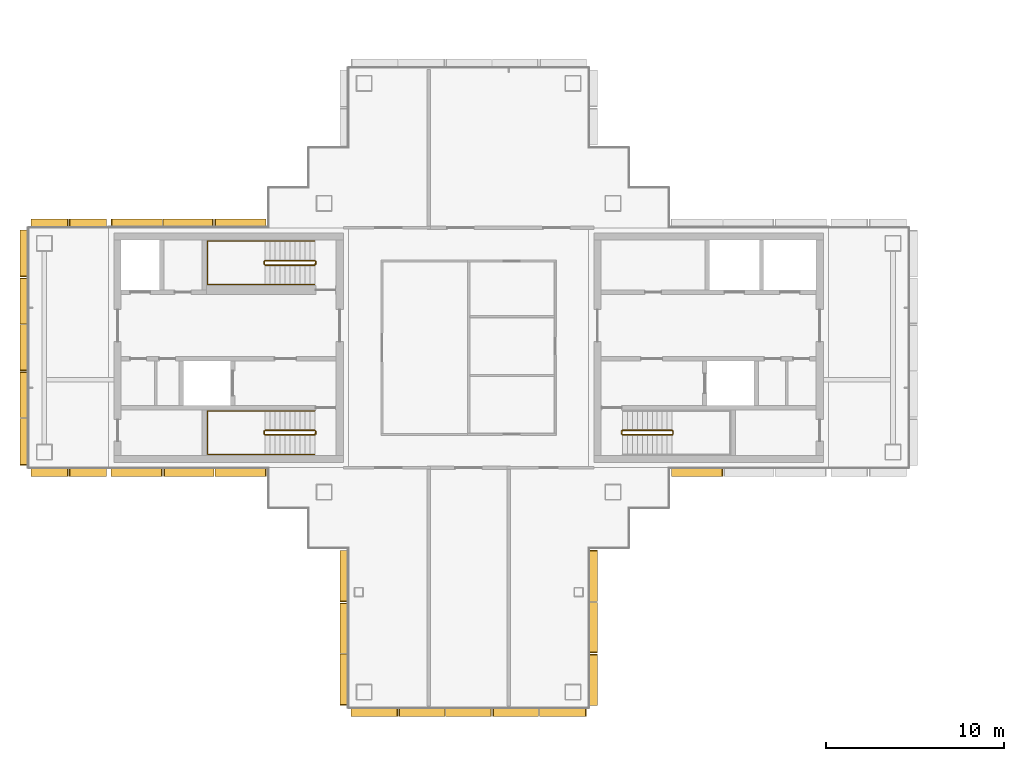
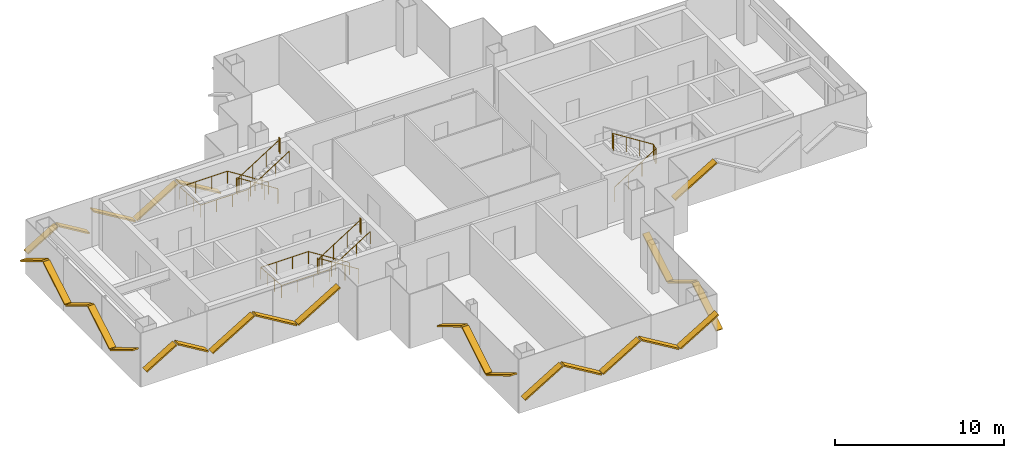
# One storey, part 14 of 17: 27 shading devices, 5 railings.
"""IFC4 building model written with IfcOpenShell, lengths in metres."""

from ifc_helpers import new_model, si_unit, direction, frame, origin, origin_2d, place, context, subcontext, project, spatial, rectangle, circle, extrude, material, material_profile, profile_set, type_object, element, save


model = new_model("IFC4")

# Units and contexts
model_context = context("Model", 3, precision=1e-05, world=origin(), true_north=direction((0.0, 1.0)))
body_context = subcontext(model_context, "Body", "Model", "MODEL_VIEW")
ifc_project = project(units=[si_unit("LENGTHUNIT", "METRE"), si_unit("AREAUNIT", "SQUARE_METRE"), si_unit("VOLUMEUNIT", "CUBIC_METRE"), si_unit("PLANEANGLEUNIT", "RADIAN"), si_unit("MASSUNIT", "GRAM", prefix="KILO")], contexts=[model_context])

# Site, building, storey
site_placement = place(None, origin())
site = spatial("IfcSite", under=ifc_project, at=site_placement, CompositionType="ELEMENT")
building_placement = place(site_placement, origin())
building = spatial("IfcBuilding", under=site, at=building_placement, Name="Shamsa Quay Exchange Towers", CompositionType="ELEMENT")
storey_placement = place(building_placement, frame((0.0, 0.0, 257.699951171875)))
storey = spatial("IfcBuildingStorey", under=building, at=storey_placement, Name="L62", CompositionType="ELEMENT", Elevation=257.699951171875)

# Shading devices
ifc_material_1 = material(Name="Aluminium EN AW-6063 T6, black anodised", Category="aluminium")
ifc_material_profile = material_profile(ifc_material_1, rectangle(XDim=0.449951171875, YDim=0.10009765625, at=origin_2d()), Name="FIN450x100")
ifc_profile_set = profile_set([ifc_material_profile], Name="Aluminium EN AW-6063 T6, black anodised")
shading_device_type = type_object("IfcShadingDeviceType", Name="FIN 450x100 BLACK ALUMINIUM", PredefinedType="USERDEFINED", material=ifc_profile_set)
shading_device_1_placement = place(storey_placement, frame((-40.764892578125, -11.43798828125, 0.74755859375), z_axis=(0.0, -0.857173881605, 0.51502712229), x_axis=(1.0, 0.0, 0.0)))
element("IfcShadingDevice", 1, at=shading_device_1_placement, inside=storey, type_object=shading_device_type, Name="FIN T1 chevron rib", ObjectType="FIN", PredefinedType="USERDEFINED", context=body_context, shape_type="SweptSolid", body=[
    extrude(rectangle(XDim=0.449951171875, YDim=0.10009765625, at=origin_2d()), origin(), (0.0, 0.0, 1.0), 3.310302734375),
])
shading_device_2_placement = place(storey_placement, frame((-40.764892578125, -14.375244140625, 2.4375), z_axis=(0.0, -0.857168152113, -0.515036657922), x_axis=(1.0, 0.0, 0.0)))
element("IfcShadingDevice", 2, at=shading_device_2_placement, inside=storey, type_object=shading_device_type, Name="FIN T1 chevron rib", ObjectType="FIN", PredefinedType="USERDEFINED", context=body_context, shape_type="SweptSolid", body=[
    extrude(rectangle(XDim=0.449951171875, YDim=0.10009765625, at=origin_2d()), origin(), (0.0, 0.0, 1.0), 3.251708984375),
])
shading_device_3_placement = place(storey_placement, frame((-40.764892578125, -17.2626953125, 0.74755859375), z_axis=(0.0, -0.857173881605, 0.51502712229), x_axis=(1.0, 0.0, 0.0)))
element("IfcShadingDevice", 3, at=shading_device_3_placement, inside=storey, type_object=shading_device_type, Name="FIN T1 chevron rib", ObjectType="FIN", PredefinedType="USERDEFINED", context=body_context, shape_type="SweptSolid", body=[
    extrude(rectangle(XDim=0.449951171875, YDim=0.10009765625, at=origin_2d()), origin(), (0.0, 0.0, 1.0), 3.310302734375),
])
shading_device_4_placement = place(storey_placement, frame((-40.35009765625, -20.514892578125, 0.822021484375), z_axis=(0.857186216295, 0.0, 0.515006592767), x_axis=(0.0, 1.0, 0.0)))
element("IfcShadingDevice", 4, at=shading_device_4_placement, inside=storey, type_object=shading_device_type, Name="FIN T1 chevron rib", ObjectType="FIN", PredefinedType="USERDEFINED", context=body_context, shape_type="SweptSolid", body=[
    extrude(rectangle(XDim=0.449951171875, YDim=0.10009765625, at=origin_2d()), origin(), (0.0, 0.0, 1.0), 3.021728515625),
])
for number, where, z_axis, x_axis, name in (
    (5, (-37.659912109375, -20.514892578125, 2.363037109375), (0.857158316574, 0.0, -0.515053026714), (0.0, 1.0, 0.0), "FIN T1 chevron rib"),
    (6, (-35.02001953125, -20.514892578125, 0.8369140625), (0.857180172053, 0.0, 0.515016652778), (0.0, 1.0, 0.0), "FIN T1 chevron rib"),
    (7, (-32.3798828125, -20.514892578125, 2.363037109375), (0.857158316574, 0.0, -0.515053026714), (0.0, 1.0, 0.0), "FIN T1 chevron rib"),
):
    element("IfcShadingDevice", number, at=place(storey_placement, frame(where, z_axis=z_axis, x_axis=x_axis)), inside=storey, type_object=shading_device_type, Name=name, ObjectType="FIN", PredefinedType="USERDEFINED", context=body_context, shape_type="SweptSolid", body=[
        extrude(rectangle(XDim=0.449951171875, YDim=0.10009765625, at=origin_2d()), origin(), (0.0, 0.0, 1.0), 2.963134765625),
    ])
shading_device_5_placement = place(storey_placement, frame((-29.739990234375, -20.514892578125, 0.822021484375), z_axis=(0.857186216295, 0.0, 0.515006592767), x_axis=(0.0, 1.0, 0.0)))
element("IfcShadingDevice", 8, at=shading_device_5_placement, inside=storey, type_object=shading_device_type, Name="FIN T1 chevron rib", ObjectType="FIN", PredefinedType="USERDEFINED", context=body_context, shape_type="SweptSolid", body=[
    extrude(rectangle(XDim=0.449951171875, YDim=0.10009765625, at=origin_2d()), origin(), (0.0, 0.0, 1.0), 3.021728515625),
])
shading_device_6_placement = place(storey_placement, frame((-26.735107421875, -20.10009765625, 0.743896484375), z_axis=(0.0, 0.857181785947, 0.515013966646), x_axis=(-1.0, 0.0, 0.0)))
element("IfcShadingDevice", 9, at=shading_device_6_placement, inside=storey, type_object=shading_device_type, Name="FIN T1 chevron rib", ObjectType="FIN", PredefinedType="USERDEFINED", context=body_context, shape_type="SweptSolid", body=[
    extrude(rectangle(XDim=0.449951171875, YDim=0.10009765625, at=origin_2d()), origin(), (0.0, 0.0, 1.0), 3.324951171875),
])
shading_device_7_placement = place(storey_placement, frame((-26.735107421875, -17.14990234375, 2.441162109375), z_axis=(0.0, 0.857156397537, -0.515056220389), x_axis=(-1.0, 0.0, 0.0)))
element("IfcShadingDevice", 10, at=shading_device_7_placement, inside=storey, type_object=shading_device_type, Name="FIN T1 chevron rib", ObjectType="FIN", PredefinedType="USERDEFINED", context=body_context, shape_type="SweptSolid", body=[
    extrude(rectangle(XDim=0.449951171875, YDim=0.10009765625, at=origin_2d()), origin(), (0.0, 0.0, 1.0), 3.266357421875),
])
shading_device_8_placement = place(storey_placement, frame((-26.735107421875, -14.25, 0.743896484375), z_axis=(0.0, 0.857181785947, 0.515013966646), x_axis=(-1.0, 0.0, 0.0)))
element("IfcShadingDevice", 11, at=shading_device_8_placement, inside=storey, type_object=shading_device_type, Name="FIN T1 chevron rib", ObjectType="FIN", PredefinedType="USERDEFINED", context=body_context, shape_type="SweptSolid", body=[
    extrude(rectangle(XDim=0.449951171875, YDim=0.10009765625, at=origin_2d()), origin(), (0.0, 0.0, 1.0), 3.324951171875),
])
for number, where, z_axis, x_axis, name in (
    (12, (-22.31201171875, -7.01904296875, 0.74755859375), (0.857173881605, 0.0, 0.51502712229), (0.0, 1.0, 0.0), "FIN T1 chevron rib"),
    (13, (-45.18798828125, 7.01904296875, 0.74755859375), (-0.857173881605, 0.0, 0.51502712229), (0.0, -1.0, 0.0), "FIN T1 chevron rib"),
):
    element("IfcShadingDevice", number, at=place(storey_placement, frame(where, z_axis=z_axis, x_axis=x_axis)), inside=storey, type_object=shading_device_type, Name=name, ObjectType="FIN", PredefinedType="USERDEFINED", context=body_context, shape_type="SweptSolid", body=[
        extrude(rectangle(XDim=0.449951171875, YDim=0.10009765625, at=origin_2d()), origin(), (0.0, 0.0, 1.0), 3.310302734375),
    ])
shading_device_9_placement = place(storey_placement, frame((-48.125244140625, 7.01904296875, 2.4375), z_axis=(-0.857168152113, 0.0, -0.515036657922), x_axis=(0.0, -1.0, 0.0)))
element("IfcShadingDevice", 14, at=shading_device_9_placement, inside=storey, type_object=shading_device_type, Name="FIN T1 chevron rib", ObjectType="FIN", PredefinedType="USERDEFINED", context=body_context, shape_type="SweptSolid", body=[
    extrude(rectangle(XDim=0.449951171875, YDim=0.10009765625, at=origin_2d()), origin(), (0.0, 0.0, 1.0), 3.251708984375),
])
shading_device_10_placement = place(storey_placement, frame((-51.0126953125, 7.01904296875, 0.74755859375), z_axis=(-0.857173881605, 0.0, 0.51502712229), x_axis=(0.0, -1.0, 0.0)))
element("IfcShadingDevice", 15, at=shading_device_10_placement, inside=storey, type_object=shading_device_type, Name="FIN T1 chevron rib", ObjectType="FIN", PredefinedType="USERDEFINED", context=body_context, shape_type="SweptSolid", body=[
    extrude(rectangle(XDim=0.449951171875, YDim=0.10009765625, at=origin_2d()), origin(), (0.0, 0.0, 1.0), 3.310302734375),
])
for number, where, z_axis, x_axis, name in (
    (16, (-54.14990234375, 7.014892578125, 0.984130859375), (-0.857186526385, 0.0, 0.515006076648), (0.0, -1.0, 0.0), "FIN T1 chevron rib"),
    (17, (-56.300048828125, 7.014892578125, 2.2158203125), (-0.857186526385, 0.0, -0.515006076648), (0.0, -1.0, 0.0), "FIN T1 chevron rib"),
):
    element("IfcShadingDevice", number, at=place(storey_placement, frame(where, z_axis=z_axis, x_axis=x_axis)), inside=storey, type_object=shading_device_type, Name=name, ObjectType="FIN", PredefinedType="USERDEFINED", context=body_context, shape_type="SweptSolid", body=[
        extrude(rectangle(XDim=0.449951171875, YDim=0.10009765625, at=origin_2d()), origin(), (0.0, 0.0, 1.0), 2.3916015625),
    ])
shading_device_11_placement = place(storey_placement, frame((-58.764892578125, 6.60009765625, 0.822021484375), z_axis=(0.0, -0.857186216295, 0.515006592767), x_axis=(1.0, 0.0, 0.0)))
element("IfcShadingDevice", 18, at=shading_device_11_placement, inside=storey, type_object=shading_device_type, Name="FIN T1 chevron rib", ObjectType="FIN", PredefinedType="USERDEFINED", context=body_context, shape_type="SweptSolid", body=[
    extrude(rectangle(XDim=0.449951171875, YDim=0.10009765625, at=origin_2d()), origin(), (0.0, 0.0, 1.0), 3.021728515625),
])
for number, where, z_axis, x_axis, name in (
    (19, (-58.764892578125, 3.909912109375, 2.363037109375), (0.0, -0.857158316574, -0.515053026714), (1.0, 0.0, 0.0), "FIN T1 chevron rib"),
    (20, (-58.764892578125, 1.27001953125, 0.8369140625), (0.0, -0.857180172053, 0.515016652778), (1.0, 0.0, 0.0), "FIN T1 chevron rib"),
    (21, (-58.764892578125, -1.3701171875, 2.363037109375), (0.0, -0.857158316574, -0.515053026714), (1.0, 0.0, 0.0), "FIN T1 chevron rib"),
):
    element("IfcShadingDevice", number, at=place(storey_placement, frame(where, z_axis=z_axis, x_axis=x_axis)), inside=storey, type_object=shading_device_type, Name=name, ObjectType="FIN", PredefinedType="USERDEFINED", context=body_context, shape_type="SweptSolid", body=[
        extrude(rectangle(XDim=0.449951171875, YDim=0.10009765625, at=origin_2d()), origin(), (0.0, 0.0, 1.0), 2.963134765625),
    ])
shading_device_12_placement = place(storey_placement, frame((-58.764892578125, -4.010009765625, 0.822021484375), z_axis=(0.0, -0.857186216295, 0.515006592767), x_axis=(1.0, 0.0, 0.0)))
element("IfcShadingDevice", 22, at=shading_device_12_placement, inside=storey, type_object=shading_device_type, Name="FIN T1 chevron rib", ObjectType="FIN", PredefinedType="USERDEFINED", context=body_context, shape_type="SweptSolid", body=[
    extrude(rectangle(XDim=0.449951171875, YDim=0.10009765625, at=origin_2d()), origin(), (0.0, 0.0, 1.0), 3.021728515625),
])
for number, where, z_axis, x_axis, name in (
    (23, (-58.35009765625, -7.014892578125, 0.984130859375), (0.857186526385, 0.0, 0.515006076648), (0.0, 1.0, 0.0), "FIN T1 chevron rib"),
    (24, (-56.199951171875, -7.014892578125, 2.2158203125), (0.857186526385, 0.0, -0.515006076648), (0.0, 1.0, 0.0), "FIN T1 chevron rib"),
):
    element("IfcShadingDevice", number, at=place(storey_placement, frame(where, z_axis=z_axis, x_axis=x_axis)), inside=storey, type_object=shading_device_type, Name=name, ObjectType="FIN", PredefinedType="USERDEFINED", context=body_context, shape_type="SweptSolid", body=[
        extrude(rectangle(XDim=0.449951171875, YDim=0.10009765625, at=origin_2d()), origin(), (0.0, 0.0, 1.0), 2.3916015625),
    ])
shading_device_13_placement = place(storey_placement, frame((-53.85009765625, -7.01904296875, 0.743896484375), z_axis=(0.857181785947, 0.0, 0.515013966646), x_axis=(0.0, 1.0, 0.0)))
element("IfcShadingDevice", 25, at=shading_device_13_placement, inside=storey, type_object=shading_device_type, Name="FIN T1 chevron rib", ObjectType="FIN", PredefinedType="USERDEFINED", context=body_context, shape_type="SweptSolid", body=[
    extrude(rectangle(XDim=0.449951171875, YDim=0.10009765625, at=origin_2d()), origin(), (0.0, 0.0, 1.0), 3.324951171875),
])
shading_device_14_placement = place(storey_placement, frame((-50.89990234375, -7.01904296875, 2.441162109375), z_axis=(0.857156397537, 0.0, -0.515056220389), x_axis=(0.0, 1.0, 0.0)))
element("IfcShadingDevice", 26, at=shading_device_14_placement, inside=storey, type_object=shading_device_type, Name="FIN T1 chevron rib", ObjectType="FIN", PredefinedType="USERDEFINED", context=body_context, shape_type="SweptSolid", body=[
    extrude(rectangle(XDim=0.449951171875, YDim=0.10009765625, at=origin_2d()), origin(), (0.0, 0.0, 1.0), 3.266357421875),
])
shading_device_15_placement = place(storey_placement, frame((-48.0, -7.01904296875, 0.743896484375), z_axis=(0.857181785947, 0.0, 0.515013966646), x_axis=(0.0, 1.0, 0.0)))
element("IfcShadingDevice", 27, at=shading_device_15_placement, inside=storey, type_object=shading_device_type, Name="FIN T1 chevron rib", ObjectType="FIN", PredefinedType="USERDEFINED", context=body_context, shape_type="SweptSolid", body=[
    extrude(rectangle(XDim=0.449951171875, YDim=0.10009765625, at=origin_2d()), origin(), (0.0, 0.0, 1.0), 3.324951171875),
])

# Railings
ifc_material_2 = material(Name="Stainless steel", Category="steel")
railing_type_1 = type_object("IfcRailingType", Name="STAIR GUARD 1100", PredefinedType="GUARDRAIL", material=ifc_material_2)
railing_1_placement = place(storey_placement, frame((-25.10009765625, -4.89990234375, 0.17724609375)))
element("IfcRailing", 28, at=railing_1_placement, inside=storey, type_object=railing_type_1, Name="L62 ST1 stair guard 1", PredefinedType="GUARDRAIL", context=body_context, shape_type="SweptSolid", body=[
    extrude(circle(Radius=0.02392578125, at=origin_2d()), frame((0.0, 0.0, 1.076171875), z_axis=(0.844908973607, 0.0, 0.534910110503), x_axis=(0.0, 1.0, 0.0)), (0.0, 0.0, 1.0), 3.31396484375),
    extrude(circle(Radius=0.02392578125, at=origin_2d()), frame((2.800048828125, 0.0, 2.8486328125), z_axis=(0.708833529934, 0.705375805398, 0.0), x_axis=(-0.705375805398, 0.708833529934, 0.0)), (0.0, 0.0, 1.0), 0.070556640625),
    extrude(circle(Radius=0.02392578125, at=origin_2d()), frame((2.85009765625, 0.0498046875, 2.8486328125), z_axis=(0.0, 1.0, 0.0), x_axis=(-1.0, 0.0, 0.0)), (0.0, 0.0, 1.0), 0.150146484375),
    extrude(circle(Radius=0.02392578125, at=origin_2d()), frame((2.85009765625, 0.199951171875, 2.8486328125), z_axis=(-0.261922500866, 0.261922500866, 0.928866625022), x_axis=(-0.707106781187, -0.707106781187, 0.0)), (0.0, 0.0, 1.0), 0.191162109375),
    extrude(circle(Radius=0.02392578125, at=origin_2d()), frame((2.800048828125, 0.25, 3.0263671875), z_axis=(-0.844908973607, 0.0, 0.534910110503), x_axis=(0.0, -1.0, 0.0)), (0.0, 0.0, 1.0), 3.31396484375),
    extrude(circle(Radius=0.02392578125, at=origin_2d()), frame((0.0, 0.25, 4.798828125), z_axis=(-0.24142163986, -0.970420317083, 0.0), x_axis=(0.970420317083, -0.24142163986, 0.0)), (0.0, 0.0, 1.0), 0.206298828125),
    extrude(circle(Radius=0.02392578125, at=origin_2d()), frame((-0.0498046875, 0.0498046875, 4.798828125), z_axis=(0.0, 1.0, 0.0), x_axis=(-1.0, 0.0, 0.0)), (0.0, 0.0, 1.0), 0.150146484375),
    extrude(circle(Radius=0.02099609375, at=origin_2d()), origin(), (0.0, 0.0, 1.0), 1.052001953125),
    extrude(circle(Radius=0.02099609375, at=origin_2d()), frame((0.933349609375, 0.0, 0.5908203125)), (0.0, 0.0, 1.0), 1.052001953125),
    extrude(circle(Radius=0.02099609375, at=origin_2d()), frame((1.86669921875, 0.0, 1.181884765625)), (0.0, 0.0, 1.0), 1.052001953125),
    extrude(circle(Radius=0.02099609375, at=origin_2d()), frame((2.800048828125, 0.0, 1.772705078125)), (0.0, 0.0, 1.0), 1.052001953125),
    extrude(circle(Radius=0.02099609375, at=origin_2d()), frame((2.85009765625, 0.0498046875, 1.772705078125)), (0.0, 0.0, 1.0), 1.052001953125),
    extrude(circle(Radius=0.02099609375, at=origin_2d()), frame((2.85009765625, 0.199951171875, 1.772705078125)), (0.0, 0.0, 1.0), 1.052001953125),
    extrude(circle(Radius=0.02099609375, at=origin_2d()), frame((2.800048828125, 0.25, 1.9501953125)), (0.0, 0.0, 1.0), 1.052001953125),
    extrude(circle(Radius=0.02099609375, at=origin_2d()), frame((1.86669921875, 0.25, 2.541015625)), (0.0, 0.0, 1.0), 1.052001953125),
    extrude(circle(Radius=0.02099609375, at=origin_2d()), frame((0.933349609375, 0.25, 3.132080078125)), (0.0, 0.0, 1.0), 1.052001953125),
    extrude(circle(Radius=0.02099609375, at=origin_2d()), frame((0.0, 0.25, 3.722900390625)), (0.0, 0.0, 1.0), 1.052001953125),
    extrude(circle(Radius=0.02099609375, at=origin_2d()), frame((-0.0498046875, 0.0498046875, 3.722900390625)), (0.0, 0.0, 1.0), 1.052001953125),
    extrude(circle(Radius=0.02099609375, at=origin_2d()), frame((-0.0498046875, 0.199951171875, 3.722900390625)), (0.0, 0.0, 1.0), 1.052001953125),
])
railing_2_placement = place(storey_placement, frame((-42.39990234375, -4.64990234375, 0.17724609375)))
element("IfcRailing", 29, at=railing_2_placement, inside=storey, type_object=railing_type_1, Name="L62 ST2 stair guard 1", PredefinedType="GUARDRAIL", context=body_context, shape_type="SweptSolid", body=[
    extrude(circle(Radius=0.02392578125, at=origin_2d()), frame((0.0, 0.0, 1.076171875), z_axis=(-0.844908973607, 0.0, 0.534910110503), x_axis=(0.0, -1.0, 0.0)), (0.0, 0.0, 1.0), 3.31396484375),
    extrude(circle(Radius=0.02392578125, at=origin_2d()), frame((-2.800048828125, 0.0, 2.8486328125), z_axis=(-0.707106781187, -0.707106781187, 0.0), x_axis=(0.707106781187, -0.707106781187, 0.0)), (0.0, 0.0, 1.0), 0.07080078125),
    extrude(circle(Radius=0.02392578125, at=origin_2d()), frame((-2.85009765625, -0.050048828125, 2.8486328125), z_axis=(0.0, -1.0, 0.0), x_axis=(1.0, 0.0, 0.0)), (0.0, 0.0, 1.0), 0.150146484375),
    extrude(circle(Radius=0.02392578125, at=origin_2d()), frame((-2.85009765625, -0.2001953125, 2.8486328125), z_axis=(0.262009983441, -0.260731885961, 0.929176868105), x_axis=(0.705375805398, 0.708833529934, 0.0)), (0.0, 0.0, 1.0), 0.19091796875),
    extrude(circle(Radius=0.02392578125, at=origin_2d()), frame((-2.800048828125, -0.25, 3.0263671875), z_axis=(0.844908973607, 0.0, 0.534910110503), x_axis=(0.0, 1.0, 0.0)), (0.0, 0.0, 1.0), 3.31396484375),
    extrude(circle(Radius=0.02392578125, at=origin_2d()), frame((0.0, -0.25, 4.798828125), z_axis=(0.241699205484, 0.970351222016, 0.0), x_axis=(-0.970351222016, 0.241699205484, 0.0)), (0.0, 0.0, 1.0), 0.2060546875),
    extrude(circle(Radius=0.02392578125, at=origin_2d()), frame((0.0498046875, -0.050048828125, 4.798828125), z_axis=(0.0, -1.0, 0.0), x_axis=(1.0, 0.0, 0.0)), (0.0, 0.0, 1.0), 0.150146484375),
    extrude(circle(Radius=0.02099609375, at=origin_2d()), origin(), (0.0, 0.0, 1.0), 1.052001953125),
    extrude(circle(Radius=0.02099609375, at=origin_2d()), frame((-0.933349609375, 0.0, 0.5908203125)), (0.0, 0.0, 1.0), 1.052001953125),
    extrude(circle(Radius=0.02099609375, at=origin_2d()), frame((-1.86669921875, 0.0, 1.181884765625)), (0.0, 0.0, 1.0), 1.052001953125),
    extrude(circle(Radius=0.02099609375, at=origin_2d()), frame((-2.800048828125, 0.0, 1.772705078125)), (0.0, 0.0, 1.0), 1.052001953125),
    extrude(circle(Radius=0.02099609375, at=origin_2d()), frame((-2.85009765625, -0.050048828125, 1.772705078125)), (0.0, 0.0, 1.0), 1.052001953125),
    extrude(circle(Radius=0.02099609375, at=origin_2d()), frame((-2.85009765625, -0.2001953125, 1.772705078125)), (0.0, 0.0, 1.0), 1.052001953125),
    extrude(circle(Radius=0.02099609375, at=origin_2d()), frame((-2.800048828125, -0.25, 1.9501953125)), (0.0, 0.0, 1.0), 1.052001953125),
    extrude(circle(Radius=0.02099609375, at=origin_2d()), frame((-1.86669921875, -0.25, 2.541015625)), (0.0, 0.0, 1.0), 1.052001953125),
    extrude(circle(Radius=0.02099609375, at=origin_2d()), frame((-0.933349609375, -0.25, 3.132080078125)), (0.0, 0.0, 1.0), 1.052001953125),
    extrude(circle(Radius=0.02099609375, at=origin_2d()), frame((0.0, -0.25, 3.722900390625)), (0.0, 0.0, 1.0), 1.052001953125),
    extrude(circle(Radius=0.02099609375, at=origin_2d()), frame((0.0498046875, -0.050048828125, 3.722900390625)), (0.0, 0.0, 1.0), 1.052001953125),
    extrude(circle(Radius=0.02099609375, at=origin_2d()), frame((0.0498046875, -0.2001953125, 3.722900390625)), (0.0, 0.0, 1.0), 1.052001953125),
])
railing_3_placement = place(storey_placement, frame((-42.39990234375, 4.89990234375, 0.17724609375)))
element("IfcRailing", 30, at=railing_3_placement, inside=storey, type_object=railing_type_1, Name="L62 ST3 stair guard 1", PredefinedType="GUARDRAIL", context=body_context, shape_type="SweptSolid", body=[
    extrude(circle(Radius=0.02392578125, at=origin_2d()), frame((0.0, 0.0, 1.076171875), z_axis=(-0.844908973607, 0.0, 0.534910110503), x_axis=(0.0, -1.0, 0.0)), (0.0, 0.0, 1.0), 3.31396484375),
    extrude(circle(Radius=0.02392578125, at=origin_2d()), frame((-2.800048828125, 0.0, 2.8486328125), z_axis=(-0.708833529934, -0.705375805398, 0.0), x_axis=(0.705375805398, -0.708833529934, 0.0)), (0.0, 0.0, 1.0), 0.070556640625),
    extrude(circle(Radius=0.02392578125, at=origin_2d()), frame((-2.85009765625, -0.0498046875, 2.8486328125), z_axis=(0.0, -1.0, 0.0), x_axis=(1.0, 0.0, 0.0)), (0.0, 0.0, 1.0), 0.150146484375),
    extrude(circle(Radius=0.02392578125, at=origin_2d()), frame((-2.85009765625, -0.199951171875, 2.8486328125), z_axis=(0.261922500866, -0.261922500866, 0.928866625022), x_axis=(0.707106781187, 0.707106781187, 0.0)), (0.0, 0.0, 1.0), 0.191162109375),
    extrude(circle(Radius=0.02392578125, at=origin_2d()), frame((-2.800048828125, -0.25, 3.0263671875), z_axis=(0.844908973607, 0.0, 0.534910110503), x_axis=(0.0, 1.0, 0.0)), (0.0, 0.0, 1.0), 3.31396484375),
    extrude(circle(Radius=0.02392578125, at=origin_2d()), frame((0.0, -0.25, 4.798828125), z_axis=(0.24142163986, 0.970420317083, 0.0), x_axis=(-0.970420317083, 0.24142163986, 0.0)), (0.0, 0.0, 1.0), 0.206298828125),
    extrude(circle(Radius=0.02392578125, at=origin_2d()), frame((0.0498046875, -0.0498046875, 4.798828125), z_axis=(0.0, -1.0, 0.0), x_axis=(1.0, 0.0, 0.0)), (0.0, 0.0, 1.0), 0.150146484375),
    extrude(circle(Radius=0.02099609375, at=origin_2d()), origin(), (0.0, 0.0, 1.0), 1.052001953125),
    extrude(circle(Radius=0.02099609375, at=origin_2d()), frame((-0.933349609375, 0.0, 0.5908203125)), (0.0, 0.0, 1.0), 1.052001953125),
    extrude(circle(Radius=0.02099609375, at=origin_2d()), frame((-1.86669921875, 0.0, 1.181884765625)), (0.0, 0.0, 1.0), 1.052001953125),
    extrude(circle(Radius=0.02099609375, at=origin_2d()), frame((-2.800048828125, 0.0, 1.772705078125)), (0.0, 0.0, 1.0), 1.052001953125),
    extrude(circle(Radius=0.02099609375, at=origin_2d()), frame((-2.85009765625, -0.0498046875, 1.772705078125)), (0.0, 0.0, 1.0), 1.052001953125),
    extrude(circle(Radius=0.02099609375, at=origin_2d()), frame((-2.85009765625, -0.199951171875, 1.772705078125)), (0.0, 0.0, 1.0), 1.052001953125),
    extrude(circle(Radius=0.02099609375, at=origin_2d()), frame((-2.800048828125, -0.25, 1.9501953125)), (0.0, 0.0, 1.0), 1.052001953125),
    extrude(circle(Radius=0.02099609375, at=origin_2d()), frame((-1.86669921875, -0.25, 2.541015625)), (0.0, 0.0, 1.0), 1.052001953125),
    extrude(circle(Radius=0.02099609375, at=origin_2d()), frame((-0.933349609375, -0.25, 3.132080078125)), (0.0, 0.0, 1.0), 1.052001953125),
    extrude(circle(Radius=0.02099609375, at=origin_2d()), frame((0.0, -0.25, 3.722900390625)), (0.0, 0.0, 1.0), 1.052001953125),
    extrude(circle(Radius=0.02099609375, at=origin_2d()), frame((0.0498046875, -0.0498046875, 3.722900390625)), (0.0, 0.0, 1.0), 1.052001953125),
    extrude(circle(Radius=0.02099609375, at=origin_2d()), frame((0.0498046875, -0.199951171875, 3.722900390625)), (0.0, 0.0, 1.0), 1.052001953125),
])
railing_type_2 = type_object("IfcRailingType", Name="STAIR HANDRAIL 900", PredefinedType="HANDRAIL", material=ifc_material_2)
railing_4_placement = place(storey_placement, frame((-42.39990234375, -3.550048828125, 0.17724609375)))
element("IfcRailing", 31, at=railing_4_placement, inside=storey, type_object=railing_type_2, Name="L62 ST2 stair handrail 1", PredefinedType="HANDRAIL", context=body_context, shape_type="SweptSolid", body=[
    extrude(circle(Radius=0.02392578125, at=origin_2d()), frame((0.0, 0.0, 0.8759765625), z_axis=(-0.844908973607, 0.0, 0.534910110503), x_axis=(0.0, -1.0, 0.0)), (0.0, 0.0, 1.0), 3.31396484375),
    extrude(circle(Radius=0.02392578125, at=origin_2d()), frame((-2.800048828125, 0.0, 2.6484375), z_axis=(-1.0, 0.0, 0.0), x_axis=(0.0, -1.0, 0.0)), (0.0, 0.0, 1.0), 3.25),
    extrude(circle(Radius=0.02392578125, at=origin_2d()), frame((-6.050048828125, 0.0, 2.6484375), z_axis=(0.0, -0.997386041853, 0.072257065513), x_axis=(1.0, 0.0, 0.0)), (0.0, 0.0, 1.0), 2.456298828125),
    extrude(circle(Radius=0.02392578125, at=origin_2d()), frame((-6.050048828125, -2.449951171875, 2.826171875), z_axis=(1.0, 0.0, 0.0), x_axis=(0.0, 1.0, 0.0)), (0.0, 0.0, 1.0), 3.25),
    extrude(circle(Radius=0.02392578125, at=origin_2d()), frame((-2.800048828125, -2.449951171875, 2.826171875), z_axis=(0.844908973607, 0.0, 0.534910110503), x_axis=(0.0, 1.0, 0.0)), (0.0, 0.0, 1.0), 3.31396484375),
    extrude(circle(Radius=0.02099609375, at=origin_2d()), origin(), (0.0, 0.0, 1.0), 0.851806640625),
    extrude(circle(Radius=0.02099609375, at=origin_2d()), frame((-0.933349609375, 0.0, 0.5908203125)), (0.0, 0.0, 1.0), 0.851806640625),
    extrude(circle(Radius=0.02099609375, at=origin_2d()), frame((-1.86669921875, 0.0, 1.181884765625)), (0.0, 0.0, 1.0), 0.851806640625),
    extrude(circle(Radius=0.02099609375, at=origin_2d()), frame((-2.800048828125, 0.0, 1.772705078125)), (0.0, 0.0, 1.0), 0.851806640625),
    extrude(circle(Radius=0.02099609375, at=origin_2d()), frame((-3.88330078125, 0.0, 1.772705078125)), (0.0, 0.0, 1.0), 0.851806640625),
    extrude(circle(Radius=0.02099609375, at=origin_2d()), frame((-4.966796875, 0.0, 1.772705078125)), (0.0, 0.0, 1.0), 0.851806640625),
    extrude(circle(Radius=0.02099609375, at=origin_2d()), frame((-6.050048828125, 0.0, 1.772705078125)), (0.0, 0.0, 1.0), 0.851806640625),
    extrude(circle(Radius=0.02099609375, at=origin_2d()), frame((-6.050048828125, -0.816650390625, 1.831787109375)), (0.0, 0.0, 1.0), 0.851806640625),
    extrude(circle(Radius=0.02099609375, at=origin_2d()), frame((-6.050048828125, -1.63330078125, 1.89111328125)), (0.0, 0.0, 1.0), 0.851806640625),
    extrude(circle(Radius=0.02099609375, at=origin_2d()), frame((-6.050048828125, -2.449951171875, 1.9501953125)), (0.0, 0.0, 1.0), 0.851806640625),
    extrude(circle(Radius=0.02099609375, at=origin_2d()), frame((-4.966796875, -2.449951171875, 1.9501953125)), (0.0, 0.0, 1.0), 0.851806640625),
    extrude(circle(Radius=0.02099609375, at=origin_2d()), frame((-3.88330078125, -2.449951171875, 1.9501953125)), (0.0, 0.0, 1.0), 0.851806640625),
    extrude(circle(Radius=0.02099609375, at=origin_2d()), frame((-2.800048828125, -2.449951171875, 1.9501953125)), (0.0, 0.0, 1.0), 0.851806640625),
    extrude(circle(Radius=0.02099609375, at=origin_2d()), frame((-1.86669921875, -2.449951171875, 2.541015625)), (0.0, 0.0, 1.0), 0.851806640625),
    extrude(circle(Radius=0.02099609375, at=origin_2d()), frame((-0.933349609375, -2.449951171875, 3.132080078125)), (0.0, 0.0, 1.0), 0.851806640625),
    extrude(circle(Radius=0.02099609375, at=origin_2d()), frame((0.0, -2.449951171875, 3.722900390625)), (0.0, 0.0, 1.0), 0.851806640625),
])
railing_5_placement = place(storey_placement, frame((-42.39990234375, 6.0, 0.17724609375)))
element("IfcRailing", 32, at=railing_5_placement, inside=storey, type_object=railing_type_2, Name="L62 ST3 stair handrail 1", PredefinedType="HANDRAIL", context=body_context, shape_type="SweptSolid", body=[
    extrude(circle(Radius=0.02392578125, at=origin_2d()), frame((0.0, 0.0, 0.8759765625), z_axis=(-0.844908973607, 0.0, 0.534910110503), x_axis=(0.0, -1.0, 0.0)), (0.0, 0.0, 1.0), 3.31396484375),
    extrude(circle(Radius=0.02392578125, at=origin_2d()), frame((-2.800048828125, 0.0, 2.6484375), z_axis=(-1.0, 0.0, 0.0), x_axis=(0.0, -1.0, 0.0)), (0.0, 0.0, 1.0), 3.25),
    extrude(circle(Radius=0.02392578125, at=origin_2d()), frame((-6.050048828125, 0.0, 2.6484375), z_axis=(0.0, -0.997386041853, 0.072257065513), x_axis=(1.0, 0.0, 0.0)), (0.0, 0.0, 1.0), 2.456298828125),
    extrude(circle(Radius=0.02392578125, at=origin_2d()), frame((-6.050048828125, -2.449951171875, 2.826171875), z_axis=(1.0, 0.0, 0.0), x_axis=(0.0, 1.0, 0.0)), (0.0, 0.0, 1.0), 3.25),
    extrude(circle(Radius=0.02392578125, at=origin_2d()), frame((-2.800048828125, -2.449951171875, 2.826171875), z_axis=(0.844908973607, 0.0, 0.534910110503), x_axis=(0.0, 1.0, 0.0)), (0.0, 0.0, 1.0), 3.31396484375),
    extrude(circle(Radius=0.02099609375, at=origin_2d()), origin(), (0.0, 0.0, 1.0), 0.851806640625),
    extrude(circle(Radius=0.02099609375, at=origin_2d()), frame((-0.933349609375, 0.0, 0.5908203125)), (0.0, 0.0, 1.0), 0.851806640625),
    extrude(circle(Radius=0.02099609375, at=origin_2d()), frame((-1.86669921875, 0.0, 1.181884765625)), (0.0, 0.0, 1.0), 0.851806640625),
    extrude(circle(Radius=0.02099609375, at=origin_2d()), frame((-2.800048828125, 0.0, 1.772705078125)), (0.0, 0.0, 1.0), 0.851806640625),
    extrude(circle(Radius=0.02099609375, at=origin_2d()), frame((-3.88330078125, 0.0, 1.772705078125)), (0.0, 0.0, 1.0), 0.851806640625),
    extrude(circle(Radius=0.02099609375, at=origin_2d()), frame((-4.966796875, 0.0, 1.772705078125)), (0.0, 0.0, 1.0), 0.851806640625),
    extrude(circle(Radius=0.02099609375, at=origin_2d()), frame((-6.050048828125, 0.0, 1.772705078125)), (0.0, 0.0, 1.0), 0.851806640625),
    extrude(circle(Radius=0.02099609375, at=origin_2d()), frame((-6.050048828125, -0.816650390625, 1.831787109375)), (0.0, 0.0, 1.0), 0.851806640625),
    extrude(circle(Radius=0.02099609375, at=origin_2d()), frame((-6.050048828125, -1.63330078125, 1.89111328125)), (0.0, 0.0, 1.0), 0.851806640625),
    extrude(circle(Radius=0.02099609375, at=origin_2d()), frame((-6.050048828125, -2.449951171875, 1.9501953125)), (0.0, 0.0, 1.0), 0.851806640625),
    extrude(circle(Radius=0.02099609375, at=origin_2d()), frame((-4.966796875, -2.449951171875, 1.9501953125)), (0.0, 0.0, 1.0), 0.851806640625),
    extrude(circle(Radius=0.02099609375, at=origin_2d()), frame((-3.88330078125, -2.449951171875, 1.9501953125)), (0.0, 0.0, 1.0), 0.851806640625),
    extrude(circle(Radius=0.02099609375, at=origin_2d()), frame((-2.800048828125, -2.449951171875, 1.9501953125)), (0.0, 0.0, 1.0), 0.851806640625),
    extrude(circle(Radius=0.02099609375, at=origin_2d()), frame((-1.86669921875, -2.449951171875, 2.541015625)), (0.0, 0.0, 1.0), 0.851806640625),
    extrude(circle(Radius=0.02099609375, at=origin_2d()), frame((-0.933349609375, -2.449951171875, 3.132080078125)), (0.0, 0.0, 1.0), 0.851806640625),
    extrude(circle(Radius=0.02099609375, at=origin_2d()), frame((0.0, -2.449951171875, 3.722900390625)), (0.0, 0.0, 1.0), 0.851806640625),
])

save(model, "model.ifc")
